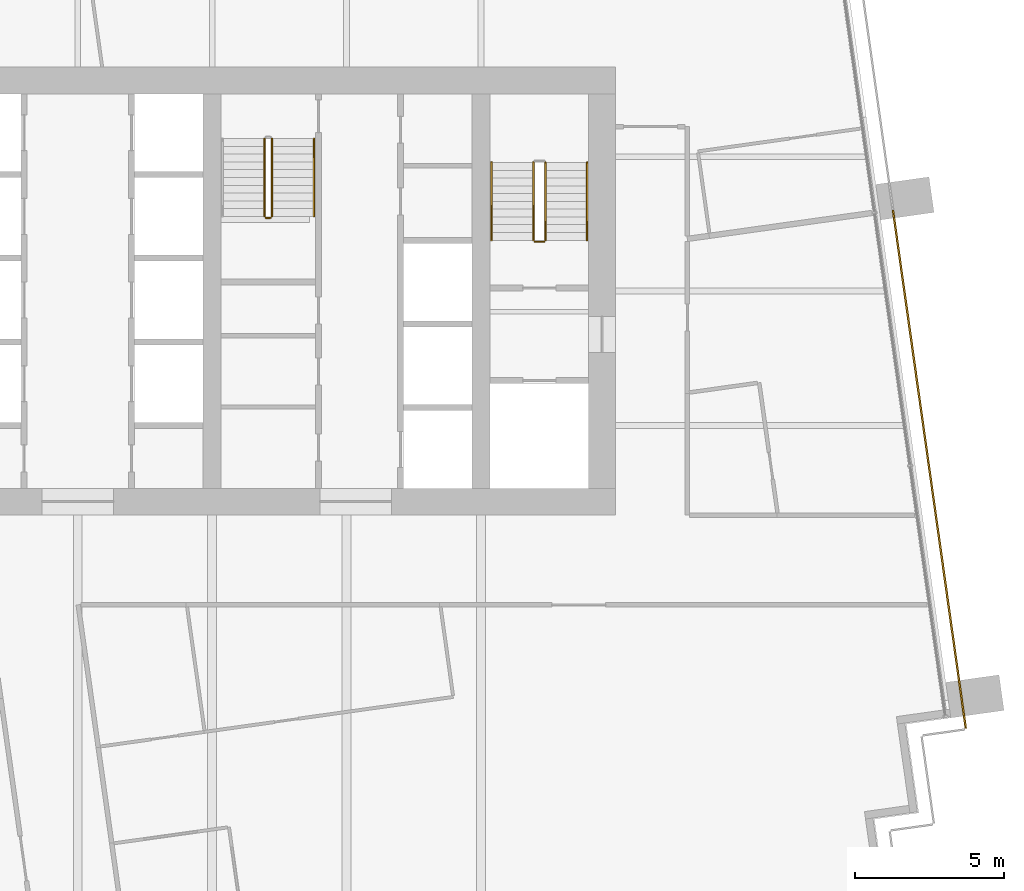
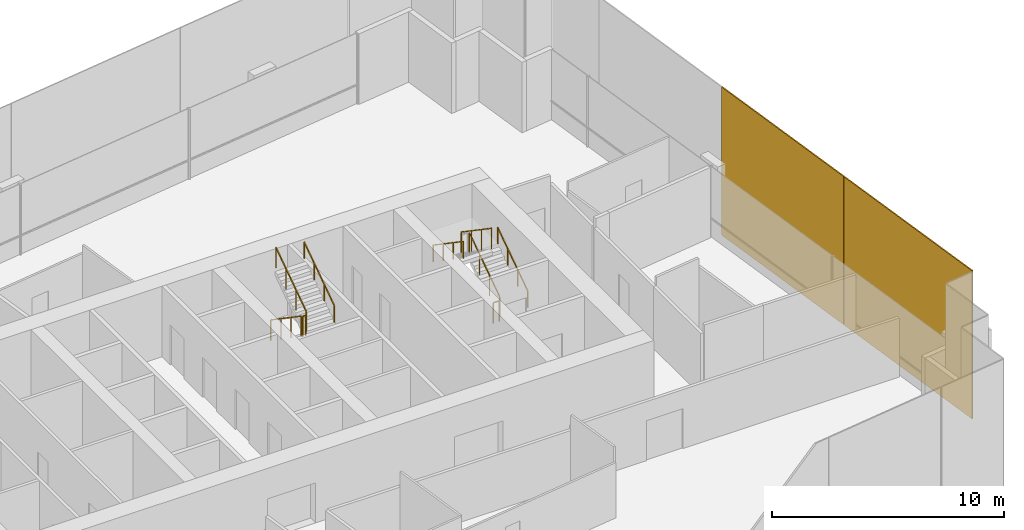
# One storey, part 15 of 17: 9 railings, 2 coverings.
"""IFC4 building model written with IfcOpenShell, lengths in metres."""

from ifc_helpers import new_model, si_unit, direction, frame, origin, origin_2d, place, context, subcontext, project, spatial, rectangle, extrude, material, layer, layer_set, type_object, element, save


model = new_model("IFC4")

# Units and contexts
model_context = context("Model", 3, precision=1e-05, world=origin(), true_north=direction((0.0, 1.0)))
body_context = subcontext(model_context, "Body", "Model", "MODEL_VIEW")
ifc_project = project(units=[si_unit("LENGTHUNIT", "METRE"), si_unit("AREAUNIT", "SQUARE_METRE"), si_unit("VOLUMEUNIT", "CUBIC_METRE"), si_unit("PLANEANGLEUNIT", "RADIAN"), si_unit("MASSUNIT", "GRAM", prefix="KILO")], contexts=[model_context])

# Site, building, storey
site_placement = place(None, origin())
site = spatial("IfcSite", under=ifc_project, at=site_placement, CompositionType="ELEMENT")
building_placement = place(site_placement, origin())
building = spatial("IfcBuilding", under=site, at=building_placement, Name="Rattan Terrace Tower", CompositionType="ELEMENT")
storey_placement = place(building_placement, frame((0.0, 0.0, 168.5)))
storey = spatial("IfcBuildingStorey", under=building, at=storey_placement, Name="L38", CompositionType="ELEMENT", Elevation=168.5)

# Railings
ifc_material_1 = material(Name="Powder-coated steel guard", Category="steel")
railing_type_1 = type_object("IfcRailingType", Name="Core stair guard", PredefinedType="GUARDRAIL", material=ifc_material_1)
railing_1_placement = place(storey_placement, frame((15.64990234375, 1.699951171875, 0.17724609375)))
element("IfcRailing", 1, at=railing_1_placement, inside=storey, type_object=railing_type_1, Name="L38 S2 stair guard 1", PredefinedType="GUARDRAIL", context=body_context, shape_type="SweptSolid", body=[
    extrude(rectangle(XDim=0.048095703125, YDim=0.048095703125, at=origin_2d()), frame((0.0, 0.0, 1.076171875), z_axis=(0.0, 0.826240473404, 0.563317565952), x_axis=(-1.0, 0.0, 0.0)), (0.0, 0.0, 1.0), 3.14697265625),
    extrude(rectangle(XDim=0.0419921875, YDim=0.0419921875, at=origin_2d()), origin(), (0.0, 0.0, 1.0), 1.052001953125),
    extrude(rectangle(XDim=0.0419921875, YDim=0.0419921875, at=origin_2d()), frame((0.0, 0.86669921875, 0.5908203125)), (0.0, 0.0, 1.0), 1.052001953125),
    extrude(rectangle(XDim=0.0419921875, YDim=0.0419921875, at=origin_2d()), frame((0.0, 1.7333984375, 1.181884765625)), (0.0, 0.0, 1.0), 1.052001953125),
    extrude(rectangle(XDim=0.0419921875, YDim=0.0419921875, at=origin_2d()), frame((0.0, 2.60009765625, 1.772705078125)), (0.0, 0.0, 1.0), 1.052001953125),
])
railing_2_placement = place(storey_placement, frame((15.25, 4.300048828125, 2.127197265625)))
element("IfcRailing", 2, at=railing_2_placement, inside=storey, type_object=railing_type_1, Name="L38 S2 stair guard 3", PredefinedType="GUARDRAIL", context=body_context, shape_type="SweptSolid", body=[
    extrude(rectangle(XDim=0.048095703125, YDim=0.048095703125, at=origin_2d()), frame((0.0, 0.0, 1.076171875), z_axis=(0.0, -0.826240473404, 0.563317565952), x_axis=(1.0, 0.0, 0.0)), (0.0, 0.0, 1.0), 3.14697265625),
    extrude(rectangle(XDim=0.0419921875, YDim=0.0419921875, at=origin_2d()), origin(), (0.0, 0.0, 1.0), 1.052001953125),
    extrude(rectangle(XDim=0.0419921875, YDim=0.0419921875, at=origin_2d()), frame((0.0, -0.86669921875, 0.5908203125)), (0.0, 0.0, 1.0), 1.052001953125),
    extrude(rectangle(XDim=0.0419921875, YDim=0.0419921875, at=origin_2d()), frame((0.0, -1.7333984375, 1.181884765625)), (0.0, 0.0, 1.0), 1.052001953125),
    extrude(rectangle(XDim=0.0419921875, YDim=0.0419921875, at=origin_2d()), frame((0.0, -2.60009765625, 1.772705078125)), (0.0, 0.0, 1.0), 1.052001953125),
])
railing_3_placement = place(storey_placement, frame((15.60009765625, 1.64990234375, 0.0)))
element("IfcRailing", 3, at=railing_3_placement, inside=storey, type_object=railing_type_1, Name="L38 S2 stair guard 4", PredefinedType="GUARDRAIL", context=body_context, shape_type="SweptSolid", body=[
    extrude(rectangle(XDim=0.048095703125, YDim=0.048095703125, at=origin_2d()), frame((0.0, 0.0, 1.076171875), z_axis=(-1.0, 0.0, 0.0), x_axis=(0.0, -1.0, 0.0)), (0.0, 0.0, 1.0), 0.300048828125),
    extrude(rectangle(XDim=0.0419921875, YDim=0.0419921875, at=origin_2d()), origin(), (0.0, 0.0, 1.0), 1.052001953125),
    extrude(rectangle(XDim=0.0419921875, YDim=0.0419921875, at=origin_2d()), frame((-0.300048828125, 0.0, 0.0)), (0.0, 0.0, 1.0), 1.052001953125),
])
railing_4_placement = place(storey_placement, frame((6.25, 5.10009765625, 0.17724609375)))
element("IfcRailing", 4, at=railing_4_placement, inside=storey, type_object=railing_type_1, Name="L38 S3 stair guard 1", PredefinedType="GUARDRAIL", context=body_context, shape_type="SweptSolid", body=[
    extrude(rectangle(XDim=0.048095703125, YDim=0.048095703125, at=origin_2d()), frame((0.0, 0.0, 1.076171875), z_axis=(0.0, -0.826240473404, 0.563317565952), x_axis=(1.0, 0.0, 0.0)), (0.0, 0.0, 1.0), 3.14697265625),
    extrude(rectangle(XDim=0.0419921875, YDim=0.0419921875, at=origin_2d()), origin(), (0.0, 0.0, 1.0), 1.052001953125),
    extrude(rectangle(XDim=0.0419921875, YDim=0.0419921875, at=origin_2d()), frame((0.0, -0.86669921875, 0.5908203125)), (0.0, 0.0, 1.0), 1.052001953125),
    extrude(rectangle(XDim=0.0419921875, YDim=0.0419921875, at=origin_2d()), frame((0.0, -1.7333984375, 1.181884765625)), (0.0, 0.0, 1.0), 1.052001953125),
    extrude(rectangle(XDim=0.0419921875, YDim=0.0419921875, at=origin_2d()), frame((0.0, -2.60009765625, 1.772705078125)), (0.0, 0.0, 1.0), 1.052001953125),
])
railing_5_placement = place(storey_placement, frame((6.300048828125, 2.449951171875, 1.949951171875)))
element("IfcRailing", 5, at=railing_5_placement, inside=storey, type_object=railing_type_1, Name="L38 S3 stair guard 2", PredefinedType="GUARDRAIL", context=body_context, shape_type="SweptSolid", body=[
    extrude(rectangle(XDim=0.048095703125, YDim=0.048095703125, at=origin_2d()), frame((0.0, 0.0, 1.076171875), z_axis=(1.0, 0.0, 0.0), x_axis=(0.0, 1.0, 0.0)), (0.0, 0.0, 1.0), 0.14990234375),
    extrude(rectangle(XDim=0.0419921875, YDim=0.0419921875, at=origin_2d()), origin(), (0.0, 0.0, 1.0), 1.052001953125),
    extrude(rectangle(XDim=0.0419921875, YDim=0.0419921875, at=origin_2d()), frame((0.14990234375, 0.0, 0.0)), (0.0, 0.0, 1.0), 1.052001953125),
])
railing_6_placement = place(storey_placement, frame((6.5, 2.5, 2.127197265625)))
element("IfcRailing", 6, at=railing_6_placement, inside=storey, type_object=railing_type_1, Name="L38 S3 stair guard 3", PredefinedType="GUARDRAIL", context=body_context, shape_type="SweptSolid", body=[
    extrude(rectangle(XDim=0.048095703125, YDim=0.048095703125, at=origin_2d()), frame((0.0, 0.0, 1.076171875), z_axis=(0.0, 0.826240473404, 0.563317565952), x_axis=(-1.0, 0.0, 0.0)), (0.0, 0.0, 1.0), 3.14697265625),
    extrude(rectangle(XDim=0.0419921875, YDim=0.0419921875, at=origin_2d()), origin(), (0.0, 0.0, 1.0), 1.052001953125),
    extrude(rectangle(XDim=0.0419921875, YDim=0.0419921875, at=origin_2d()), frame((0.0, 0.86669921875, 0.5908203125)), (0.0, 0.0, 1.0), 1.052001953125),
    extrude(rectangle(XDim=0.0419921875, YDim=0.0419921875, at=origin_2d()), frame((0.0, 1.7333984375, 1.181884765625)), (0.0, 0.0, 1.0), 1.052001953125),
    extrude(rectangle(XDim=0.0419921875, YDim=0.0419921875, at=origin_2d()), frame((0.0, 2.60009765625, 1.772705078125)), (0.0, 0.0, 1.0), 1.052001953125),
])
ifc_material_2 = material(Name="Powder-coated steel handrail", Category="steel")
railing_type_2 = type_object("IfcRailingType", Name="Core stair handrail", PredefinedType="HANDRAIL", material=ifc_material_2)
railing_7_placement = place(storey_placement, frame((17.050048828125, 1.699951171875, 0.17724609375)))
element("IfcRailing", 7, at=railing_7_placement, inside=storey, type_object=railing_type_2, Name="L38 S2 stair handrail 1", PredefinedType="HANDRAIL", context=body_context, shape_type="SweptSolid", body=[
    extrude(rectangle(XDim=0.048095703125, YDim=0.048095703125, at=origin_2d()), frame((0.0, 0.0, 0.8759765625), z_axis=(0.0, 0.826240473404, 0.563317565952), x_axis=(-1.0, 0.0, 0.0)), (0.0, 0.0, 1.0), 3.14697265625),
    extrude(rectangle(XDim=0.0419921875, YDim=0.0419921875, at=origin_2d()), origin(), (0.0, 0.0, 1.0), 0.851806640625),
    extrude(rectangle(XDim=0.0419921875, YDim=0.0419921875, at=origin_2d()), frame((0.0, 0.86669921875, 0.5908203125)), (0.0, 0.0, 1.0), 0.851806640625),
    extrude(rectangle(XDim=0.0419921875, YDim=0.0419921875, at=origin_2d()), frame((0.0, 1.7333984375, 1.181884765625)), (0.0, 0.0, 1.0), 0.851806640625),
    extrude(rectangle(XDim=0.0419921875, YDim=0.0419921875, at=origin_2d()), frame((0.0, 2.60009765625, 1.772705078125)), (0.0, 0.0, 1.0), 0.851806640625),
])
railing_8_placement = place(storey_placement, frame((13.85009765625, 4.300048828125, 2.127197265625)))
element("IfcRailing", 8, at=railing_8_placement, inside=storey, type_object=railing_type_2, Name="L38 S2 stair handrail 2", PredefinedType="HANDRAIL", context=body_context, shape_type="SweptSolid", body=[
    extrude(rectangle(XDim=0.048095703125, YDim=0.048095703125, at=origin_2d()), frame((0.0, 0.0, 0.8759765625), z_axis=(0.0, -0.826240473404, 0.563317565952), x_axis=(1.0, 0.0, 0.0)), (0.0, 0.0, 1.0), 3.14697265625),
    extrude(rectangle(XDim=0.0419921875, YDim=0.0419921875, at=origin_2d()), origin(), (0.0, 0.0, 1.0), 0.851806640625),
    extrude(rectangle(XDim=0.0419921875, YDim=0.0419921875, at=origin_2d()), frame((0.0, -0.86669921875, 0.5908203125)), (0.0, 0.0, 1.0), 0.851806640625),
    extrude(rectangle(XDim=0.0419921875, YDim=0.0419921875, at=origin_2d()), frame((0.0, -1.7333984375, 1.181884765625)), (0.0, 0.0, 1.0), 0.851806640625),
    extrude(rectangle(XDim=0.0419921875, YDim=0.0419921875, at=origin_2d()), frame((0.0, -2.60009765625, 1.772705078125)), (0.0, 0.0, 1.0), 0.851806640625),
])
railing_9_placement = place(storey_placement, frame((7.89990234375, 2.5, 2.127197265625)))
element("IfcRailing", 9, at=railing_9_placement, inside=storey, type_object=railing_type_2, Name="L38 S3 stair handrail 2", PredefinedType="HANDRAIL", context=body_context, shape_type="SweptSolid", body=[
    extrude(rectangle(XDim=0.048095703125, YDim=0.048095703125, at=origin_2d()), frame((0.0, 0.0, 0.8759765625), z_axis=(0.0, 0.826240473404, 0.563317565952), x_axis=(-1.0, 0.0, 0.0)), (0.0, 0.0, 1.0), 3.14697265625),
    extrude(rectangle(XDim=0.0419921875, YDim=0.0419921875, at=origin_2d()), origin(), (0.0, 0.0, 1.0), 0.851806640625),
    extrude(rectangle(XDim=0.0419921875, YDim=0.0419921875, at=origin_2d()), frame((0.0, 0.86669921875, 0.5908203125)), (0.0, 0.0, 1.0), 0.851806640625),
    extrude(rectangle(XDim=0.0419921875, YDim=0.0419921875, at=origin_2d()), frame((0.0, 1.7333984375, 1.181884765625)), (0.0, 0.0, 1.0), 0.851806640625),
    extrude(rectangle(XDim=0.0419921875, YDim=0.0419921875, at=origin_2d()), frame((0.0, 2.60009765625, 1.772705078125)), (0.0, 0.0, 1.0), 0.851806640625),
])

# Coverings
ifc_material_3 = material(Name="Perforated terracotta", Category="masonry")
ifc_layer = layer(ifc_material_3, 0.06005859375)
ifc_layer_set = layer_set([ifc_layer], Name="Facade Terracotta Screen Panel")
covering_type = type_object("IfcCoveringType", Name="Facade Terracotta Screen Panel", PredefinedType="CLADDING", material=ifc_layer_set)
covering_1_placement = place(storey_placement, frame((29.095703125, -10.19580078125, -0.18994140625), z_axis=(0.0, 0.0, 1.0), x_axis=(-0.139190856006, 0.99026557327, 0.0)))
element("IfcCovering", 10, at=covering_1_placement, inside=storey, type_object=covering_type, Name="OUTER SKIN panel L38-6", PredefinedType="CLADDING", context=body_context, shape_type="SweptSolid", body=[
    extrude(rectangle(XDim=8.949951171875, YDim=0.06005859375, at=origin_2d()), origin(), (0.0, 0.0, 1.0), 7.780029296875),
])
covering_2_placement = place(storey_placement, frame((27.87646484375, -1.521240234375, -0.18994140625), z_axis=(0.0, 0.0, 1.0), x_axis=(-0.139190856006, 0.99026557327, 0.0)))
element("IfcCovering", 11, at=covering_2_placement, inside=storey, type_object=covering_type, Name="OUTER SKIN panel L38-7", PredefinedType="CLADDING", context=body_context, shape_type="SweptSolid", body=[
    extrude(rectangle(XDim=8.530029296875, YDim=0.06005859375, at=origin_2d()), origin(), (0.0, 0.0, 1.0), 7.780029296875),
])

save(model, "model.ifc")
